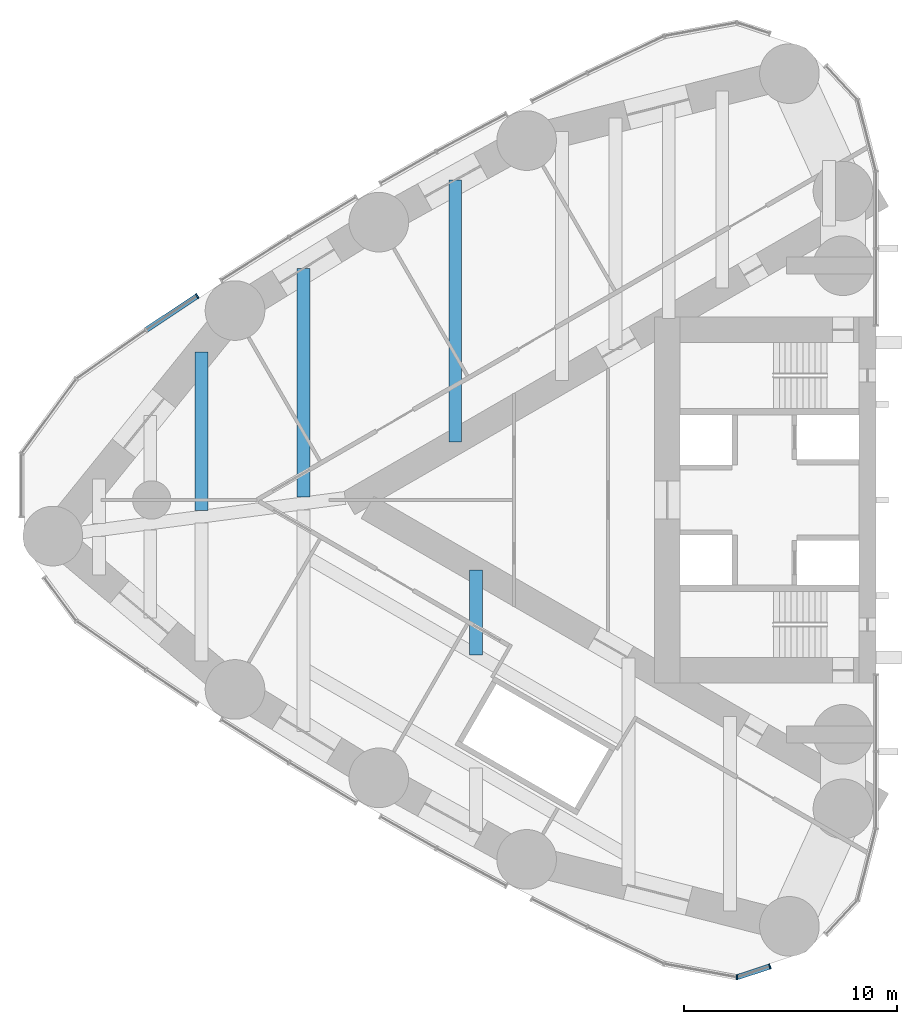
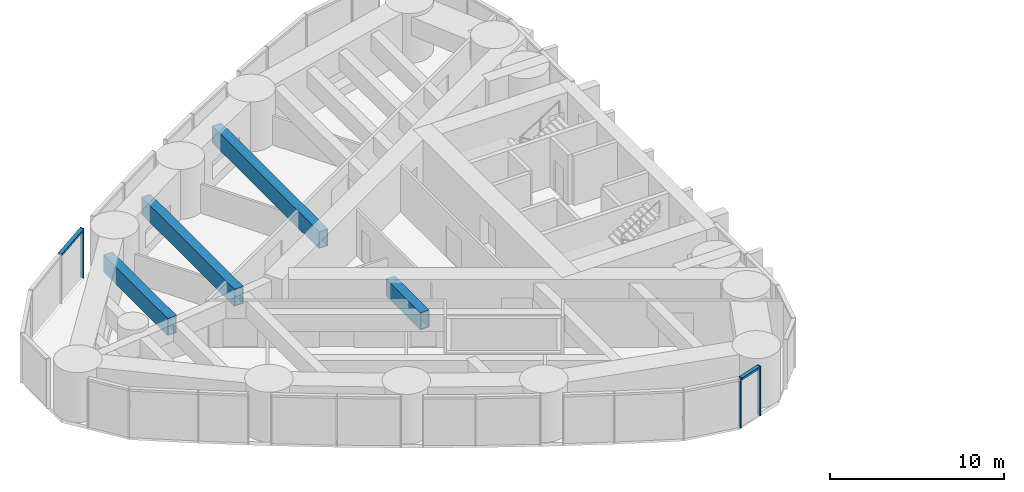
# One storey, part 3 of 17: 5 members, 4 beams, 2 elements without a shape of their own.
"""IFC4 building model written with IfcOpenShell, lengths in metres."""

import ifcopenshell
import ifcopenshell.guid

model = None  # the IFC model being written
_history = None  # IfcOwnerHistory: only IFC2X3 demands one
_inside = {}  # id of a spatial element -> (the spatial element, [elements in it])
_under = {}  # id of a project, library or spatial element -> (it, [spatial elements below it])
_declared = {}  # id of a project -> (the project, [libraries it declares])
_typed = {}  # id of a type object -> (the type object, [elements of that type])
_made_of = {}  # id of a material, layer set ... -> (it, [elements and type objects made of it])


def new_model(schema):
    """Start an empty IFC model of exactly this schema.

    Asked for "IFC4X3", IfcOpenShell would pick the latest addendum, in which some entities
    have other attributes; the version numbers below select the first issue.
    IFC2X3 requires an IfcOwnerHistory on every rooted entity: one is made here for all.
    """
    global model, _history
    if schema == "IFC4X3":
        model = ifcopenshell.file(schema_version=(4, 3, 0, 0))
    else:
        model = ifcopenshell.file(schema=schema)
    _inside.clear()
    _under.clear()
    _declared.clear()
    _typed.clear()
    _made_of.clear()
    _history = None
    if model.schema == "IFC2X3":
        org = make("IfcOrganization", Name="unknown")
        user = make(
            "IfcPersonAndOrganization",
            ThePerson=make("IfcPerson", FamilyName="unknown"),
            TheOrganization=org,
        )
        app = make(
            "IfcApplication",
            ApplicationDeveloper=org,
            Version="unknown",
            ApplicationFullName="unknown",
            ApplicationIdentifier="unknown",
        )
        _history = make(
            "IfcOwnerHistory",
            OwningUser=user,
            OwningApplication=app,
            ChangeAction="ADDED",
            CreationDate=0,
        )
    return model


def make(cls, **values):
    """One entity of the class cls with the attributes given. An attribute that is None is left unset."""
    return model.create_entity(
        cls, **{name: value for name, value in values.items() if value is not None}
    )


def rooted(cls, **values):
    """An entity with a GlobalId (a new one), such as an element, a storey or a relation."""
    return make(cls, GlobalId=ifcopenshell.guid.new(), OwnerHistory=_history, **values)


def si_unit(unit_type, name, prefix=None):
    """IfcSIUnit, for example si_unit("LENGTHUNIT", "METRE", prefix="MILLI")."""
    return make("IfcSIUnit", UnitType=unit_type, Prefix=prefix, Name=name)


def assignment(units):
    """IfcUnitAssignment: the units of a project."""
    return None if units is None else make("IfcUnitAssignment", Units=units)


def point(xyz):
    """IfcCartesianPoint."""
    return None if xyz is None else make("IfcCartesianPoint", Coordinates=xyz)


def direction(xyz):
    """IfcDirection."""
    return None if xyz is None else make("IfcDirection", DirectionRatios=xyz)


def frame(location, z_axis=None, x_axis=None):
    """IfcAxis2Placement3D, a coordinate frame: its origin and axes. An axis left out is left unset."""
    return make(
        "IfcAxis2Placement3D",
        Location=point(location),
        Axis=direction(z_axis),
        RefDirection=direction(x_axis),
    )


def frame_2d(location, x_axis=None):
    """IfcAxis2Placement2D, a coordinate frame in the plane: its origin and x axis."""
    return make(
        "IfcAxis2Placement2D", Location=point(location), RefDirection=direction(x_axis)
    )


def origin():
    """The frame at (0, 0, 0) with its axes left unset."""
    return frame((0.0, 0.0, 0.0))


def origin_2d():
    """The frame at (0, 0) in the plane with its x axis left unset."""
    return frame_2d((0.0, 0.0))


def place(relative_to, where):
    """IfcLocalPlacement: puts the frame where relative to a parent placement (None: the world)."""
    return make(
        "IfcLocalPlacement", PlacementRelTo=relative_to, RelativePlacement=where
    )


def context(
    kind, dimensions, precision=None, world=None, true_north=None, identifier=None
):
    """IfcGeometricRepresentationContext, for example the 3D "Model" context."""
    return make(
        "IfcGeometricRepresentationContext",
        ContextIdentifier=identifier,
        ContextType=kind,
        CoordinateSpaceDimension=dimensions,
        Precision=precision,
        WorldCoordinateSystem=world,
        TrueNorth=true_north,
    )


def subcontext(parent, identifier, kind, view, scale=None):
    """IfcGeometricRepresentationSubContext, for example "Body" below "Model"."""
    return make(
        "IfcGeometricRepresentationSubContext",
        ContextIdentifier=identifier,
        ContextType=kind,
        ParentContext=parent,
        TargetScale=scale,
        TargetView=view,
    )


def project(units=None, contexts=None):
    """IfcProject with its units and contexts."""
    return rooted(
        "IfcProject",
        Name="project",
        RepresentationContexts=contexts,
        UnitsInContext=assignment(units),
    )


def spatial(cls, under=None, at=None, **own):
    """A site, building, storey or space (cls), placed at a placement, below another one or the project."""
    s = rooted(cls, ObjectPlacement=at, **own)
    if under is not None:
        _under.setdefault(under.id(), (under, []))[1].append(s)
    return s


def profile(cls, at=None, kind="AREA", **sizes):
    """A parametric profile (cls). Its sizes go by their IFC names, for example OverallWidth=200.0."""
    return make(cls, ProfileType=kind, Position=at, **sizes)


def rectangle(**sizes):
    """IfcRectangleProfileDef."""
    return profile("IfcRectangleProfileDef", **sizes)


def hollow_rectangle(**sizes):
    """IfcRectangleHollowProfileDef."""
    return profile("IfcRectangleHollowProfileDef", **sizes)


def extrude(swept, where, along, depth):
    """IfcExtrudedAreaSolid: the profile swept, set in the frame where, extruded along a direction by depth."""
    return make(
        "IfcExtrudedAreaSolid",
        SweptArea=swept,
        Position=where,
        ExtrudedDirection=direction(along),
        Depth=depth,
    )


def shape(context_of_items, identifier, shape_type, items):
    """IfcShapeRepresentation: the items that make up one representation, for example the "Body"."""
    return make(
        "IfcShapeRepresentation",
        ContextOfItems=context_of_items,
        RepresentationIdentifier=identifier,
        RepresentationType=shape_type,
        Items=items,
    )


def material(Name=None, Category=None):
    """IfcMaterial."""
    return make("IfcMaterial", Name=Name, Category=Category)


def material_profile(
    of_material, cross_section, Name=None, Category=None, Priority=None
):
    """IfcMaterialProfile: a cross section and its material."""
    return make(
        "IfcMaterialProfile",
        Name=Name,
        Material=of_material,
        Profile=cross_section,
        Priority=Priority,
        Category=Category,
    )


def profile_set(profiles, Name=None, composite=None):
    """IfcMaterialProfileSet."""
    return make(
        "IfcMaterialProfileSet",
        Name=Name,
        MaterialProfiles=profiles,
        CompositeProfile=composite,
    )


def made_of(thing, what):
    """Note that an element or type object is made of a material, layer set ...; save() writes the relation."""
    if what is not None:
        _made_of.setdefault(what.id(), (what, []))[1].append(thing)
    return thing


def type_object(cls, material=None, **own):
    """A type object (cls), such as IfcWallType, which elements share."""
    return made_of(rooted(cls, **own), material)


def element(
    cls,
    number,
    at=None,
    inside=None,
    cuts=None,
    type_object=None,
    material=None,
    context=None,
    identifier="Body",
    shape_type=None,
    held_by="IfcProductDefinitionShape",
    body=None,
    shapes=None,
    **own,
):
    """One element of the class cls, such as IfcWall. Its Tag is "e" and its number.

    at: its placement. inside: the storey or other place that contains it. cuts: it is an
    opening in that element (IfcRelVoidsElement). A single representation is given by context,
    identifier, shape_type and body (its items); several are given by shapes. held_by: the class
    of the entity that holds the representations. save() writes the other relations.
    """
    e = rooted(cls, Tag="e%d" % number, ObjectPlacement=at, **own)
    if body is not None:
        shapes = [shape(context, identifier, shape_type, body)]
    if shapes is not None:
        e.Representation = make(held_by, Representations=shapes)
    if inside is not None:
        _inside.setdefault(inside.id(), (inside, []))[1].append(e)
    if cuts is not None:
        rooted(
            "IfcRelVoidsElement", RelatingBuildingElement=cuts, RelatedOpeningElement=e
        )
    if type_object is not None:
        _typed.setdefault(type_object.id(), (type_object, []))[1].append(e)
    return made_of(e, material)


def aggregate(whole, parts):
    """IfcRelAggregates: a whole, such as a stair, and the parts it consists of."""
    return rooted("IfcRelAggregates", RelatingObject=whole, RelatedObjects=parts)


def save(model, path):
    """Write the relations noted so far, then the file.

    IfcRelAggregates (storeys below a building ...), IfcRelContainedInSpatialStructure (elements
    in a storey), IfcRelDefinesByType, IfcRelAssociatesMaterial and IfcRelDeclares: one each for
    every whole, place, type object, material and project.
    """
    for whole, parts in _under.values():
        aggregate(whole, parts)
    for where, things in _inside.values():
        rooted(
            "IfcRelContainedInSpatialStructure",
            RelatedElements=things,
            RelatingStructure=where,
        )
    for kind, things in _typed.values():
        rooted("IfcRelDefinesByType", RelatedObjects=things, RelatingType=kind)
    for what, things in _made_of.values():
        rooted("IfcRelAssociatesMaterial", RelatedObjects=things, RelatingMaterial=what)
    for by, libraries in _declared.values():
        rooted("IfcRelDeclares", RelatingContext=by, RelatedDefinitions=libraries)
    model.write(path)


model = new_model("IFC4")

# Units and contexts
model_context = context("Model", 3, precision=1e-05, world=origin(), true_north=direction((0.0, 1.0)))
body_context = subcontext(model_context, "Body", "Model", "MODEL_VIEW")
ifc_project = project(units=[si_unit("LENGTHUNIT", "METRE"), si_unit("AREAUNIT", "SQUARE_METRE"), si_unit("VOLUMEUNIT", "CUBIC_METRE"), si_unit("PLANEANGLEUNIT", "RADIAN"), si_unit("MASSUNIT", "GRAM", prefix="KILO")], contexts=[model_context])

# Site, building, storey
site_placement = place(None, origin())
site = spatial("IfcSite", under=ifc_project, at=site_placement, CompositionType="ELEMENT")
building_placement = place(site_placement, origin())
building = spatial("IfcBuilding", under=site, at=building_placement, Name="Lancet Gate Hotel", CompositionType="ELEMENT")
storey_placement = place(building_placement, frame((0.0, 0.0, 201.800048828125)))
storey = spatial("IfcBuildingStorey", under=building, at=storey_placement, Name="L54", CompositionType="ELEMENT", Elevation=201.800048828125)

# Curtain wall, member
ifc_material_1 = material(Name="Aluminium curtain wall", Category="aluminium")
curtain_wall_type = type_object("IfcCurtainWallType", Name="Tower unitised curtain wall", PredefinedType="USERDEFINED", material=ifc_material_1)
curtain_wall_1_placement = place(storey_placement, origin())
curtain_wall_1 = element("IfcCurtainWall", 1, at=curtain_wall_1_placement, inside=storey, type_object=curtain_wall_type, Name="T1 L54 curtain wall 5", ObjectType="UNITISED CURTAIN WALL", PredefinedType="USERDEFINED")
ifc_material_2 = material(Name="Aluminium mullion", Category="aluminium")
ifc_material_profile_1 = material_profile(ifc_material_2, rectangle(XDim=0.06494140625, YDim=0.25, at=origin_2d()), Name="MULLION 65x250")
ifc_profile_set_1 = profile_set([ifc_material_profile_1], Name="Aluminium mullion")
member_type_1 = type_object("IfcMemberType", Name="Aluminium mullion 65x250", PredefinedType="MULLION", material=ifc_profile_set_1)
member_1_placement = place(storey_placement, frame((-59.3642578125, 9.57470703125, 0.0), z_axis=(0.0, 0.0, 1.0), x_axis=(-0.832879255498, -0.553454736867, 0.0)))
member_1 = element("IfcMember", 2, at=member_1_placement, type_object=member_type_1, Name="T1 L54 curtain wall 5 mullion 1", PredefinedType="MULLION", context=body_context, shape_type="SweptSolid", body=[
    extrude(rectangle(XDim=0.06494140625, YDim=0.25, at=origin_2d()), origin(), (0.0, 0.0, 1.0), 3.5),
])

# Curtain wall, members
curtain_wall_2_placement = place(storey_placement, origin())
curtain_wall_2 = element("IfcCurtainWall", 3, at=curtain_wall_2_placement, inside=storey, type_object=curtain_wall_type, Name="T1 L54 curtain wall 9", ObjectType="UNITISED CURTAIN WALL", PredefinedType="USERDEFINED")
member_2_placement = place(storey_placement, frame((-34.02783203125, -22.407470703125, 0.0), z_axis=(0.0, 0.0, 1.0), x_axis=(0.99969339569, -0.024761151312, 0.0)))
member_2 = element("IfcMember", 4, at=member_2_placement, type_object=member_type_1, Name="T1 L54 curtain wall 9 mullion 4", PredefinedType="MULLION", context=body_context, shape_type="SweptSolid", body=[
    extrude(rectangle(XDim=0.06494140625, YDim=0.25, at=origin_2d()), origin(), (0.0, 0.0, 1.0), 3.5),
])
member_3_placement = place(storey_placement, frame((-32.481689453125, -21.8984375, 0.0), z_axis=(0.0, 0.0, 1.0), x_axis=(0.949848055084, 0.312711803827, 0.0)))
member_3 = element("IfcMember", 5, at=member_3_placement, type_object=member_type_1, Name="T1 L54 curtain wall 9 mullion 5", PredefinedType="MULLION", context=body_context, shape_type="SweptSolid", body=[
    extrude(rectangle(XDim=0.06494140625, YDim=0.25, at=origin_2d()), origin(), (0.0, 0.0, 1.0), 3.5),
])

# Member
ifc_material_3 = material(Name="Aluminium transom", Category="aluminium")
ifc_material_profile_2 = material_profile(ifc_material_3, rectangle(XDim=0.25, YDim=0.14990234375, at=origin_2d()), Name="TRANSOM 250x150")
ifc_profile_set_2 = profile_set([ifc_material_profile_2], Name="Aluminium transom")
member_type_2 = type_object("IfcMemberType", Name="Aluminium transom 250x150", PredefinedType="USERDEFINED", material=ifc_profile_set_2)
member_4_placement = place(storey_placement, frame((-59.391357421875, 9.556640625, 3.425048828125), z_axis=(-0.83286340622, -0.553478587283, 0.0), x_axis=(0.553478587283, -0.83286340622, 0.0)))
member_4 = element("IfcMember", 6, at=member_4_placement, type_object=member_type_2, Name="T1 L54 curtain wall 5 transom 1", ObjectType="TRANSOM", PredefinedType="USERDEFINED", context=body_context, shape_type="SweptSolid", body=[
    extrude(rectangle(XDim=0.25, YDim=0.14990234375, at=origin_2d()), origin(), (0.0, 0.0, 1.0), 2.814697265625),
])

aggregate(curtain_wall_1, [member_1, member_4])

member_5_placement = place(storey_placement, frame((-33.9970703125, -22.397216796875, 3.425048828125), z_axis=(0.949833005468, 0.312757512656, 0.0), x_axis=(-0.312757512656, 0.949833005468, 0.0)))
member_5 = element("IfcMember", 7, at=member_5_placement, type_object=member_type_2, Name="T1 L54 curtain wall 9 transom 4", ObjectType="TRANSOM", PredefinedType="USERDEFINED", context=body_context, shape_type="SweptSolid", body=[
    extrude(rectangle(XDim=0.25, YDim=0.14990234375, at=origin_2d()), origin(), (0.0, 0.0, 1.0), 1.562744140625),
])

aggregate(curtain_wall_2, [member_2, member_3, member_5])

# Beams
ifc_material_4 = material(Name="Steel S460QL", Category="steel")
ifc_material_profile_3 = material_profile(ifc_material_4, hollow_rectangle(XDim=0.60009765625, YDim=1.199951171875, WallThickness=0.050048828125, at=origin_2d()), Name="BOX 1200x600x50")
ifc_profile_set_3 = profile_set([ifc_material_profile_3], Name="Steel S460QL")
beam_type = type_object("IfcBeamType", Name="Refuge floor beam BOX 1200x600x50", PredefinedType="BEAM", material=ifc_profile_set_3)
beam_1_placement = place(storey_placement, frame((-47.254638671875, 15.020751953125, 2.64990234375), z_axis=(0.0, -1.0, 0.0), x_axis=(1.0, 0.0, 0.0)))
element("IfcBeam", 8, at=beam_1_placement, inside=storey, type_object=beam_type, Name="T1 floor beam F09S L54", PredefinedType="BEAM", context=body_context, shape_type="SweptSolid", body=[
    extrude(hollow_rectangle(XDim=0.60009765625, YDim=1.199951171875, WallThickness=0.050048828125, at=origin_2d()), origin(), (0.0, 0.0, 1.0), 12.29931640625),
])
beam_2_placement = place(storey_placement, frame((-54.3681640625, 10.87353515625, 2.64990234375), z_axis=(0.0, -1.0, 0.0), x_axis=(1.0, 0.0, 0.0)))
element("IfcBeam", 9, at=beam_2_placement, inside=storey, type_object=beam_type, Name="T1 floor beam F10S L54", PredefinedType="BEAM", context=body_context, shape_type="SweptSolid", body=[
    extrude(hollow_rectangle(XDim=0.60009765625, YDim=1.199951171875, WallThickness=0.050048828125, at=origin_2d()), origin(), (0.0, 0.0, 1.0), 10.727783203125),
])
beam_3_placement = place(storey_placement, frame((-59.168212890625, 6.938720703125, 2.64990234375), z_axis=(0.0, -1.0, 0.0), x_axis=(1.0, 0.0, 0.0)))
element("IfcBeam", 10, at=beam_3_placement, inside=storey, type_object=beam_type, Name="T1 floor beam F12S L54", PredefinedType="BEAM", context=body_context, shape_type="SweptSolid", body=[
    extrude(hollow_rectangle(XDim=0.60009765625, YDim=1.199951171875, WallThickness=0.050048828125, at=origin_2d()), origin(), (0.0, 0.0, 1.0), 7.420166015625),
])
beam_4_placement = place(storey_placement, frame((-46.27587890625, -3.28662109375, 2.64990234375), z_axis=(0.0, -1.0, 0.0), x_axis=(1.0, 0.0, 0.0)))
element("IfcBeam", 11, at=beam_4_placement, inside=storey, type_object=beam_type, Name="T1 floor beam F08NA L54", PredefinedType="BEAM", context=body_context, shape_type="SweptSolid", body=[
    extrude(hollow_rectangle(XDim=0.60009765625, YDim=1.199951171875, WallThickness=0.050048828125, at=origin_2d()), origin(), (0.0, 0.0, 1.0), 3.983642578125),
])

save(model, "model.ifc")
